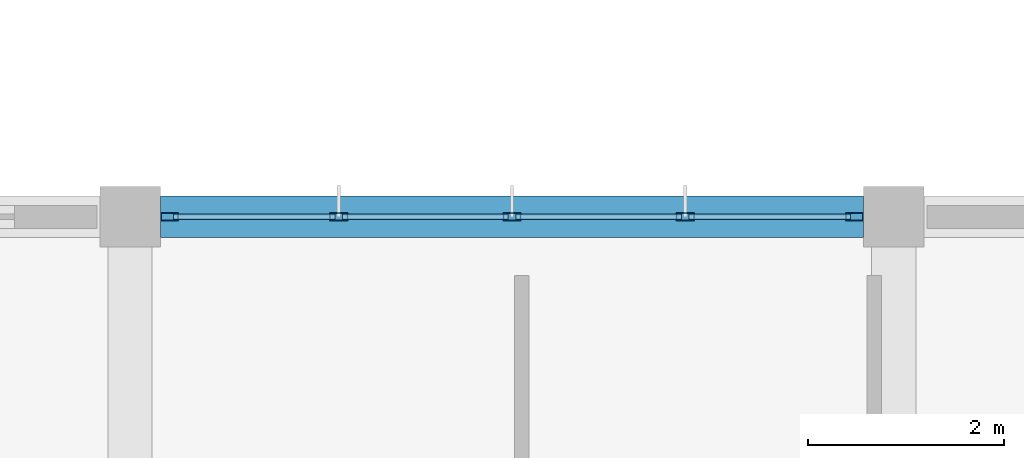
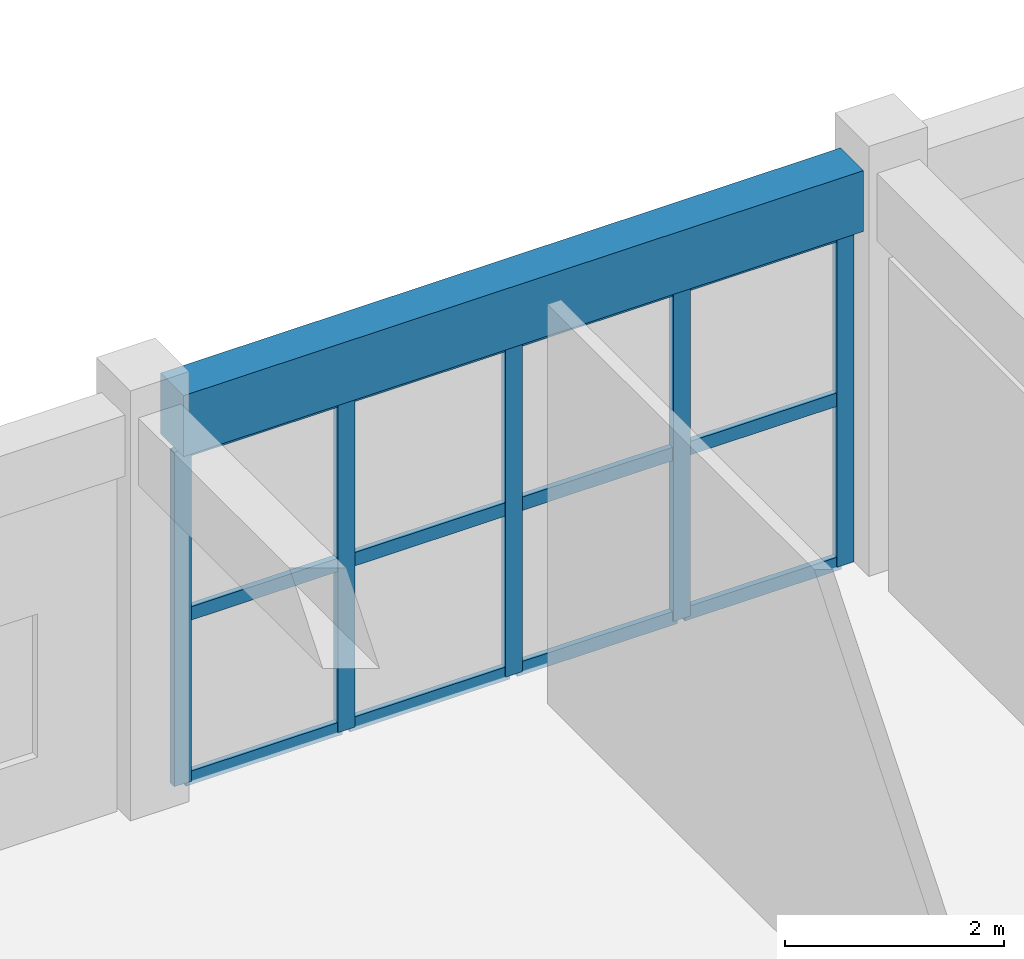
# One storey, part 104 of 167: 17 members, 1 beam, 1 element without a shape of its own.
"""IFC4 building model written with IfcOpenShell, lengths in metres."""

from ifc_helpers import new_model, si_unit, direction, frame, origin, origin_2d, place, context, subcontext, project, spatial, rectangle, hollow_rectangle, extrude, material, layer, layer_set, material_profile, profile_set, type_object, element, aggregate, save


model = new_model("IFC4")

# Units and contexts
model_context = context("Model", 3, precision=1e-05, world=origin(), true_north=direction((0.0, 1.0)))
body_context = subcontext(model_context, "Body", "Model", "MODEL_VIEW")
ifc_project = project(units=[si_unit("LENGTHUNIT", "METRE"), si_unit("AREAUNIT", "SQUARE_METRE"), si_unit("VOLUMEUNIT", "CUBIC_METRE"), si_unit("PLANEANGLEUNIT", "RADIAN"), si_unit("MASSUNIT", "GRAM", prefix="KILO")], contexts=[model_context])

# Site, building, storey
site_placement = place(None, origin())
site = spatial("IfcSite", under=ifc_project, at=site_placement, CompositionType="ELEMENT")
building_placement = place(site_placement, origin())
building = spatial("IfcBuilding", under=site, at=building_placement, Name="Zizhar Promenade General Hospital", CompositionType="ELEMENT")
storey_placement = place(building_placement, frame((0.0, 0.0, 9.60009765625)))
storey = spatial("IfcBuildingStorey", under=building, at=storey_placement, Name="L02", CompositionType="ELEMENT", Elevation=9.60009765625)

# Beam
ifc_material_1 = material(Name="Concrete C35/45", Category="concrete")
ifc_material_profile_1 = material_profile(ifc_material_1, rectangle(XDim=0.419921875, YDim=0.679931640625, at=origin_2d()))
ifc_profile_set_1 = profile_set([ifc_material_profile_1], Name="Concrete C35/45")
beam_type = type_object("IfcBeamType", Name="BM-RC-420x680", PredefinedType="JOIST", material=ifc_profile_set_1)
beam_placement = place(storey_placement, frame((140.7099609375, 109.199951171875, 4.1298828125), z_axis=(1.0, 0.0, 0.0), x_axis=(0.0, 1.0, 0.0)))
element("IfcBeam", 1, at=beam_placement, inside=storey, type_object=beam_type, Name="Grid Beam X L02 (18-13)", PredefinedType="JOIST", context=body_context, shape_type="SweptSolid", body=[
    extrude(rectangle(XDim=0.419921875, YDim=0.679931640625, at=origin_2d()), origin(), (0.0, 0.0, 1.0), 7.179931640625),
])

# Curtain wall, members
ifc_material_2 = material(Name="Anodised aluminium 6063-T6 and low-E glass", Category="aluminium")
ifc_layer = layer(ifc_material_2, 0.159912109375)
ifc_layer_set = layer_set([ifc_layer], Name="Anodised aluminium 6063-T6 and low-E glass")
curtain_wall_type = type_object("IfcCurtainWallType", Name="CW-CLN-EXT", PredefinedType="NOTDEFINED", material=ifc_layer_set)
curtain_wall_placement = place(storey_placement, origin())
curtain_wall = element("IfcCurtainWall", 2, at=curtain_wall_placement, inside=storey, type_object=curtain_wall_type, Name="Outpatient North Curtain Wall L02-18", PredefinedType="NOTDEFINED")
ifc_material_3 = material(Name="Anodised aluminium 6063-T6", Category="aluminium")
ifc_material_profile_2 = material_profile(ifc_material_3, hollow_rectangle(XDim=0.080078125, YDim=0.179931640625, WallThickness=0.0048828125, at=origin_2d()))
ifc_profile_set_2 = profile_set([ifc_material_profile_2], Name="Anodised aluminium 6063-T6")
member_type_1 = type_object("IfcMemberType", Name="CWM-ALU-180x80", PredefinedType="MULLION", material=ifc_profile_set_2)
member_1_placement = place(storey_placement, frame((140.800048828125, 109.199951171875, 0.0), z_axis=(0.0, 0.0, 1.0), x_axis=(0.0, 1.0, 0.0)))
member_1 = element("IfcMember", 3, at=member_1_placement, type_object=member_type_1, Name="CW-09 mullion 1", PredefinedType="MULLION", context=body_context, shape_type="SweptSolid", body=[
    extrude(hollow_rectangle(XDim=0.080078125, YDim=0.179931640625, WallThickness=0.0048828125, at=origin_2d()), origin(), (0.0, 0.0, 1.0), 3.72998046875),
])
member_2_placement = place(storey_placement, frame((142.530029296875, 109.199951171875, 0.0), z_axis=(0.0, 0.0, 1.0), x_axis=(0.0, 1.0, 0.0)))
member_2 = element("IfcMember", 4, at=member_2_placement, type_object=member_type_1, Name="CW-09 mullion 2", PredefinedType="MULLION", context=body_context, shape_type="SweptSolid", body=[
    extrude(hollow_rectangle(XDim=0.080078125, YDim=0.179931640625, WallThickness=0.0048828125, at=origin_2d()), origin(), (0.0, 0.0, 1.0), 3.72998046875),
])
member_3_placement = place(storey_placement, frame((144.300048828125, 109.199951171875, 0.0), z_axis=(0.0, 0.0, 1.0), x_axis=(0.0, 1.0, 0.0)))
member_3 = element("IfcMember", 5, at=member_3_placement, type_object=member_type_1, Name="CW-09 mullion 3", PredefinedType="MULLION", context=body_context, shape_type="SweptSolid", body=[
    extrude(hollow_rectangle(XDim=0.080078125, YDim=0.179931640625, WallThickness=0.0048828125, at=origin_2d()), origin(), (0.0, 0.0, 1.0), 3.72998046875),
])
member_4_placement = place(storey_placement, frame((146.070068359375, 109.199951171875, 0.0), z_axis=(0.0, 0.0, 1.0), x_axis=(0.0, 1.0, 0.0)))
member_4 = element("IfcMember", 6, at=member_4_placement, type_object=member_type_1, Name="CW-09 mullion 4", PredefinedType="MULLION", context=body_context, shape_type="SweptSolid", body=[
    extrude(hollow_rectangle(XDim=0.080078125, YDim=0.179931640625, WallThickness=0.0048828125, at=origin_2d()), origin(), (0.0, 0.0, 1.0), 3.72998046875),
])
member_5_placement = place(storey_placement, frame((147.800048828125, 109.199951171875, 0.0), z_axis=(0.0, 0.0, 1.0), x_axis=(0.0, 1.0, 0.0)))
member_5 = element("IfcMember", 7, at=member_5_placement, type_object=member_type_1, Name="CW-09 mullion 5", PredefinedType="MULLION", context=body_context, shape_type="SweptSolid", body=[
    extrude(hollow_rectangle(XDim=0.080078125, YDim=0.179931640625, WallThickness=0.0048828125, at=origin_2d()), origin(), (0.0, 0.0, 1.0), 3.72998046875),
])
ifc_material_4 = material(Name="Anodised aluminium 6063-T6", Category="aluminium")
ifc_material_profile_3 = material_profile(ifc_material_4, hollow_rectangle(XDim=0.06005859375, YDim=0.14990234375, WallThickness=0.00390625, at=origin_2d()))
ifc_profile_set_3 = profile_set([ifc_material_profile_3], Name="Anodised aluminium 6063-T6")
member_type_2 = type_object("IfcMemberType", Name="CWT-ALU-150x60", PredefinedType="USERDEFINED", material=ifc_profile_set_3)
member_6_placement = place(storey_placement, frame((140.840087890625, 109.199951171875, 0.02978515625), z_axis=(1.0, 0.0, 0.0), x_axis=(0.0, 1.0, 0.0)))
member_6 = element("IfcMember", 8, at=member_6_placement, type_object=member_type_2, Name="CW-09 transom 1.1", ObjectType="TRANSOM", PredefinedType="USERDEFINED", context=body_context, shape_type="SweptSolid", body=[
    extrude(hollow_rectangle(XDim=0.06005859375, YDim=0.14990234375, WallThickness=0.00390625, at=origin_2d()), origin(), (0.0, 0.0, 1.0), 1.64990234375),
])
member_7_placement = place(storey_placement, frame((140.840087890625, 109.199951171875, 1.864990234375), z_axis=(1.0, 0.0, 0.0), x_axis=(0.0, 1.0, 0.0)))
member_7 = element("IfcMember", 9, at=member_7_placement, type_object=member_type_2, Name="CW-09 transom 1.2", ObjectType="TRANSOM", PredefinedType="USERDEFINED", context=body_context, shape_type="SweptSolid", body=[
    extrude(hollow_rectangle(XDim=0.06005859375, YDim=0.14990234375, WallThickness=0.00390625, at=origin_2d()), origin(), (0.0, 0.0, 1.0), 1.64990234375),
])
member_8_placement = place(storey_placement, frame((140.840087890625, 109.199951171875, 3.699951171875), z_axis=(1.0, 0.0, 0.0), x_axis=(0.0, 1.0, 0.0)))
member_8 = element("IfcMember", 10, at=member_8_placement, type_object=member_type_2, Name="CW-09 transom 1.3", ObjectType="TRANSOM", PredefinedType="USERDEFINED", context=body_context, shape_type="SweptSolid", body=[
    extrude(hollow_rectangle(XDim=0.06005859375, YDim=0.14990234375, WallThickness=0.00390625, at=origin_2d()), origin(), (0.0, 0.0, 1.0), 1.64990234375),
])
member_9_placement = place(storey_placement, frame((142.570068359375, 109.199951171875, 0.02978515625), z_axis=(1.0, 0.0, 0.0), x_axis=(0.0, 1.0, 0.0)))
member_9 = element("IfcMember", 11, at=member_9_placement, type_object=member_type_2, Name="CW-09 transom 2.1", ObjectType="TRANSOM", PredefinedType="USERDEFINED", context=body_context, shape_type="SweptSolid", body=[
    extrude(hollow_rectangle(XDim=0.06005859375, YDim=0.14990234375, WallThickness=0.00390625, at=origin_2d()), origin(), (0.0, 0.0, 1.0), 1.68994140625),
])
member_10_placement = place(storey_placement, frame((142.570068359375, 109.199951171875, 1.864990234375), z_axis=(1.0, 0.0, 0.0), x_axis=(0.0, 1.0, 0.0)))
member_10 = element("IfcMember", 12, at=member_10_placement, type_object=member_type_2, Name="CW-09 transom 2.2", ObjectType="TRANSOM", PredefinedType="USERDEFINED", context=body_context, shape_type="SweptSolid", body=[
    extrude(hollow_rectangle(XDim=0.06005859375, YDim=0.14990234375, WallThickness=0.00390625, at=origin_2d()), origin(), (0.0, 0.0, 1.0), 1.68994140625),
])
member_11_placement = place(storey_placement, frame((142.570068359375, 109.199951171875, 3.699951171875), z_axis=(1.0, 0.0, 0.0), x_axis=(0.0, 1.0, 0.0)))
member_11 = element("IfcMember", 13, at=member_11_placement, type_object=member_type_2, Name="CW-09 transom 2.3", ObjectType="TRANSOM", PredefinedType="USERDEFINED", context=body_context, shape_type="SweptSolid", body=[
    extrude(hollow_rectangle(XDim=0.06005859375, YDim=0.14990234375, WallThickness=0.00390625, at=origin_2d()), origin(), (0.0, 0.0, 1.0), 1.68994140625),
])
member_12_placement = place(storey_placement, frame((144.340087890625, 109.199951171875, 0.02978515625), z_axis=(1.0, 0.0, 0.0), x_axis=(0.0, 1.0, 0.0)))
member_12 = element("IfcMember", 14, at=member_12_placement, type_object=member_type_2, Name="CW-09 transom 3.1", ObjectType="TRANSOM", PredefinedType="USERDEFINED", context=body_context, shape_type="SweptSolid", body=[
    extrude(hollow_rectangle(XDim=0.06005859375, YDim=0.14990234375, WallThickness=0.00390625, at=origin_2d()), origin(), (0.0, 0.0, 1.0), 1.68994140625),
])
member_13_placement = place(storey_placement, frame((144.340087890625, 109.199951171875, 1.864990234375), z_axis=(1.0, 0.0, 0.0), x_axis=(0.0, 1.0, 0.0)))
member_13 = element("IfcMember", 15, at=member_13_placement, type_object=member_type_2, Name="CW-09 transom 3.2", ObjectType="TRANSOM", PredefinedType="USERDEFINED", context=body_context, shape_type="SweptSolid", body=[
    extrude(hollow_rectangle(XDim=0.06005859375, YDim=0.14990234375, WallThickness=0.00390625, at=origin_2d()), origin(), (0.0, 0.0, 1.0), 1.68994140625),
])
member_14_placement = place(storey_placement, frame((144.340087890625, 109.199951171875, 3.699951171875), z_axis=(1.0, 0.0, 0.0), x_axis=(0.0, 1.0, 0.0)))
member_14 = element("IfcMember", 16, at=member_14_placement, type_object=member_type_2, Name="CW-09 transom 3.3", ObjectType="TRANSOM", PredefinedType="USERDEFINED", context=body_context, shape_type="SweptSolid", body=[
    extrude(hollow_rectangle(XDim=0.06005859375, YDim=0.14990234375, WallThickness=0.00390625, at=origin_2d()), origin(), (0.0, 0.0, 1.0), 1.68994140625),
])
member_15_placement = place(storey_placement, frame((146.110107421875, 109.199951171875, 0.02978515625), z_axis=(1.0, 0.0, 0.0), x_axis=(0.0, 1.0, 0.0)))
member_15 = element("IfcMember", 17, at=member_15_placement, type_object=member_type_2, Name="CW-09 transom 4.1", ObjectType="TRANSOM", PredefinedType="USERDEFINED", context=body_context, shape_type="SweptSolid", body=[
    extrude(hollow_rectangle(XDim=0.06005859375, YDim=0.14990234375, WallThickness=0.00390625, at=origin_2d()), origin(), (0.0, 0.0, 1.0), 1.64990234375),
])
member_16_placement = place(storey_placement, frame((146.110107421875, 109.199951171875, 1.864990234375), z_axis=(1.0, 0.0, 0.0), x_axis=(0.0, 1.0, 0.0)))
member_16 = element("IfcMember", 18, at=member_16_placement, type_object=member_type_2, Name="CW-09 transom 4.2", ObjectType="TRANSOM", PredefinedType="USERDEFINED", context=body_context, shape_type="SweptSolid", body=[
    extrude(hollow_rectangle(XDim=0.06005859375, YDim=0.14990234375, WallThickness=0.00390625, at=origin_2d()), origin(), (0.0, 0.0, 1.0), 1.64990234375),
])
member_17_placement = place(storey_placement, frame((146.110107421875, 109.199951171875, 3.699951171875), z_axis=(1.0, 0.0, 0.0), x_axis=(0.0, 1.0, 0.0)))
member_17 = element("IfcMember", 19, at=member_17_placement, type_object=member_type_2, Name="CW-09 transom 4.3", ObjectType="TRANSOM", PredefinedType="USERDEFINED", context=body_context, shape_type="SweptSolid", body=[
    extrude(hollow_rectangle(XDim=0.06005859375, YDim=0.14990234375, WallThickness=0.00390625, at=origin_2d()), origin(), (0.0, 0.0, 1.0), 1.64990234375),
])
aggregate(curtain_wall, [member_1, member_2, member_3, member_4, member_5, member_6, member_7, member_8, member_9, member_10, member_11, member_12, member_13, member_14, member_15, member_16, member_17])

save(model, "model.ifc")
